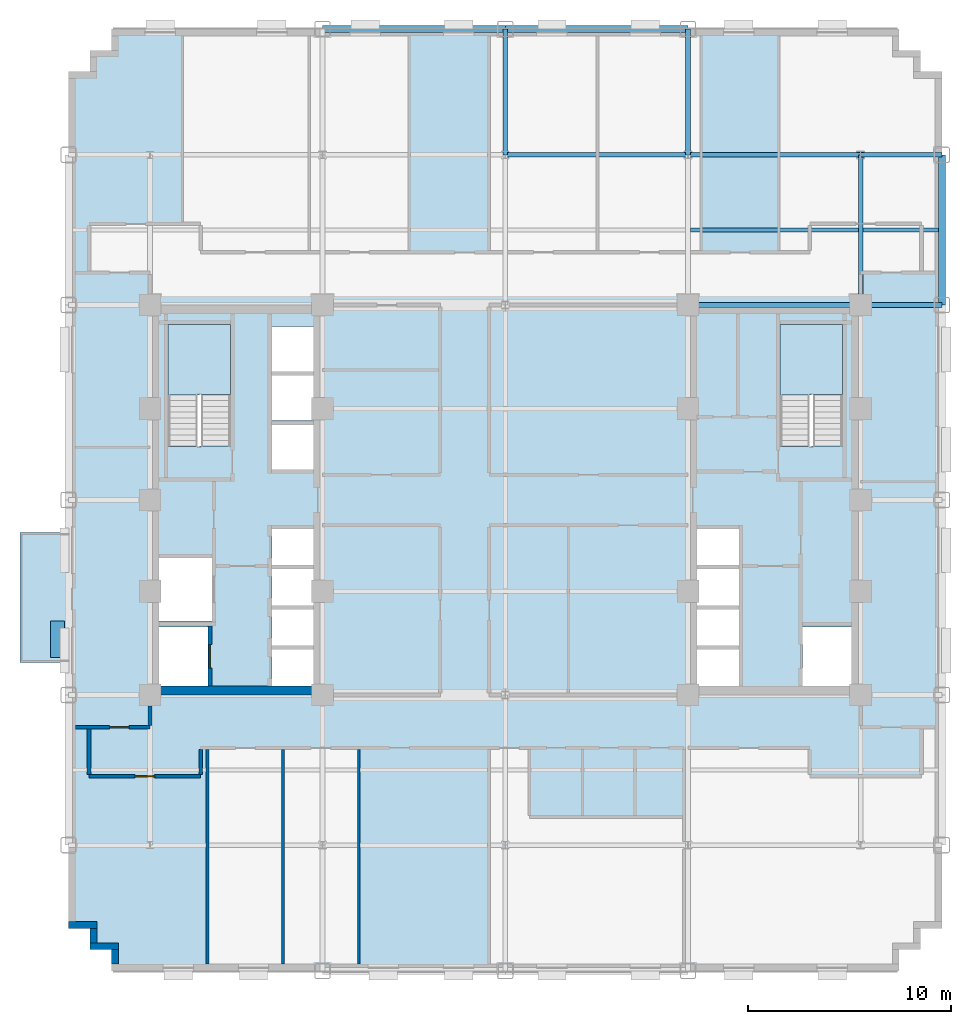
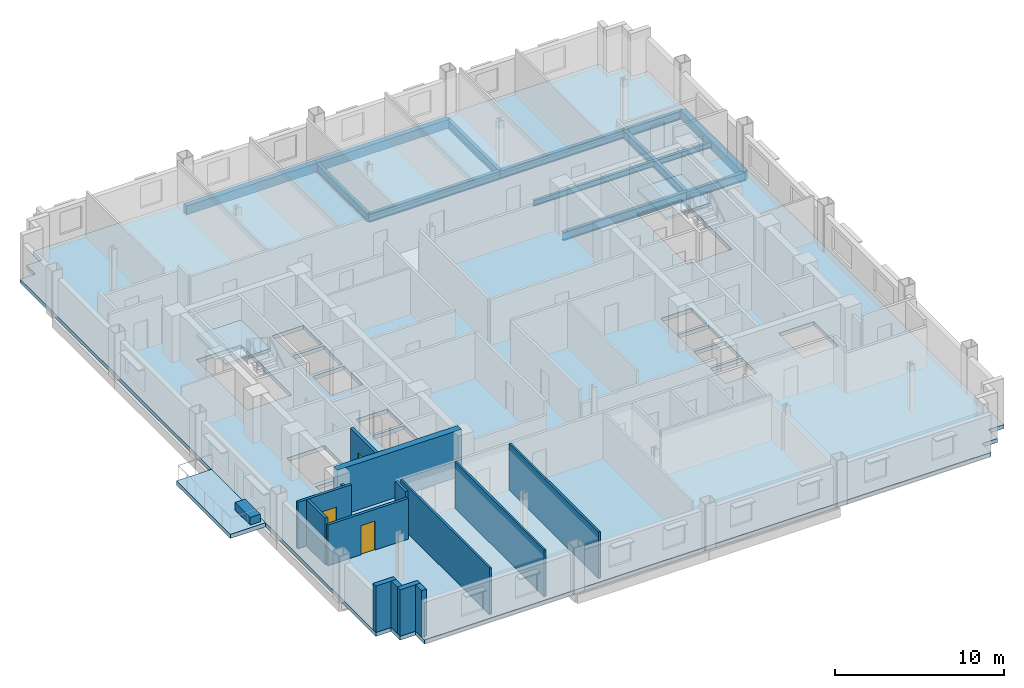
# One storey, part 5 of 14: 14 walls, 13 beams, 4 slabs, 3 doors, 1 plate, 3 openings, 2 elements without a shape of their own.
"""IFC4 building model written with IfcOpenShell, lengths in metres."""

import ifcopenshell
import ifcopenshell.guid

model = None  # the IFC model being written
_history = None  # IfcOwnerHistory: only IFC2X3 demands one
_inside = {}  # id of a spatial element -> (the spatial element, [elements in it])
_under = {}  # id of a project, library or spatial element -> (it, [spatial elements below it])
_declared = {}  # id of a project -> (the project, [libraries it declares])
_typed = {}  # id of a type object -> (the type object, [elements of that type])
_made_of = {}  # id of a material, layer set ... -> (it, [elements and type objects made of it])


def new_model(schema):
    """Start an empty IFC model of exactly this schema.

    Asked for "IFC4X3", IfcOpenShell would pick the latest addendum, in which some entities
    have other attributes; the version numbers below select the first issue.
    IFC2X3 requires an IfcOwnerHistory on every rooted entity: one is made here for all.
    """
    global model, _history
    if schema == "IFC4X3":
        model = ifcopenshell.file(schema_version=(4, 3, 0, 0))
    else:
        model = ifcopenshell.file(schema=schema)
    _inside.clear()
    _under.clear()
    _declared.clear()
    _typed.clear()
    _made_of.clear()
    _history = None
    if model.schema == "IFC2X3":
        org = make("IfcOrganization", Name="unknown")
        user = make(
            "IfcPersonAndOrganization",
            ThePerson=make("IfcPerson", FamilyName="unknown"),
            TheOrganization=org,
        )
        app = make(
            "IfcApplication",
            ApplicationDeveloper=org,
            Version="unknown",
            ApplicationFullName="unknown",
            ApplicationIdentifier="unknown",
        )
        _history = make(
            "IfcOwnerHistory",
            OwningUser=user,
            OwningApplication=app,
            ChangeAction="ADDED",
            CreationDate=0,
        )
    return model


def make(cls, **values):
    """One entity of the class cls with the attributes given. An attribute that is None is left unset."""
    return model.create_entity(
        cls, **{name: value for name, value in values.items() if value is not None}
    )


def rooted(cls, **values):
    """An entity with a GlobalId (a new one), such as an element, a storey or a relation."""
    return make(cls, GlobalId=ifcopenshell.guid.new(), OwnerHistory=_history, **values)


def si_unit(unit_type, name, prefix=None):
    """IfcSIUnit, for example si_unit("LENGTHUNIT", "METRE", prefix="MILLI")."""
    return make("IfcSIUnit", UnitType=unit_type, Prefix=prefix, Name=name)


def assignment(units):
    """IfcUnitAssignment: the units of a project."""
    return None if units is None else make("IfcUnitAssignment", Units=units)


def point(xyz):
    """IfcCartesianPoint."""
    return None if xyz is None else make("IfcCartesianPoint", Coordinates=xyz)


def direction(xyz):
    """IfcDirection."""
    return None if xyz is None else make("IfcDirection", DirectionRatios=xyz)


def frame(location, z_axis=None, x_axis=None):
    """IfcAxis2Placement3D, a coordinate frame: its origin and axes. An axis left out is left unset."""
    return make(
        "IfcAxis2Placement3D",
        Location=point(location),
        Axis=direction(z_axis),
        RefDirection=direction(x_axis),
    )


def frame_2d(location, x_axis=None):
    """IfcAxis2Placement2D, a coordinate frame in the plane: its origin and x axis."""
    return make(
        "IfcAxis2Placement2D", Location=point(location), RefDirection=direction(x_axis)
    )


def origin():
    """The frame at (0, 0, 0) with its axes left unset."""
    return frame((0.0, 0.0, 0.0))


def origin_2d():
    """The frame at (0, 0) in the plane with its x axis left unset."""
    return frame_2d((0.0, 0.0))


def place(relative_to, where):
    """IfcLocalPlacement: puts the frame where relative to a parent placement (None: the world)."""
    return make(
        "IfcLocalPlacement", PlacementRelTo=relative_to, RelativePlacement=where
    )


def context(
    kind, dimensions, precision=None, world=None, true_north=None, identifier=None
):
    """IfcGeometricRepresentationContext, for example the 3D "Model" context."""
    return make(
        "IfcGeometricRepresentationContext",
        ContextIdentifier=identifier,
        ContextType=kind,
        CoordinateSpaceDimension=dimensions,
        Precision=precision,
        WorldCoordinateSystem=world,
        TrueNorth=true_north,
    )


def subcontext(parent, identifier, kind, view, scale=None):
    """IfcGeometricRepresentationSubContext, for example "Body" below "Model"."""
    return make(
        "IfcGeometricRepresentationSubContext",
        ContextIdentifier=identifier,
        ContextType=kind,
        ParentContext=parent,
        TargetScale=scale,
        TargetView=view,
    )


def project(units=None, contexts=None):
    """IfcProject with its units and contexts."""
    return rooted(
        "IfcProject",
        Name="project",
        RepresentationContexts=contexts,
        UnitsInContext=assignment(units),
    )


def spatial(cls, under=None, at=None, **own):
    """A site, building, storey or space (cls), placed at a placement, below another one or the project."""
    s = rooted(cls, ObjectPlacement=at, **own)
    if under is not None:
        _under.setdefault(under.id(), (under, []))[1].append(s)
    return s


def polyline(points):
    """IfcPolyline through the points."""
    return make("IfcPolyline", Points=[point(p) for p in points])


def profile(cls, at=None, kind="AREA", **sizes):
    """A parametric profile (cls). Its sizes go by their IFC names, for example OverallWidth=200.0."""
    return make(cls, ProfileType=kind, Position=at, **sizes)


def rectangle(**sizes):
    """IfcRectangleProfileDef."""
    return profile("IfcRectangleProfileDef", **sizes)


def i_section(**sizes):
    """IfcIShapeProfileDef."""
    return profile("IfcIShapeProfileDef", **sizes)


def outline(outer, holes=None, kind="AREA"):
    """IfcArbitraryClosedProfileDef: a profile drawn as a closed curve; with holes, ...WithVoids."""
    if holes is None:
        return make("IfcArbitraryClosedProfileDef", ProfileType=kind, OuterCurve=outer)
    return make(
        "IfcArbitraryProfileDefWithVoids",
        ProfileType=kind,
        OuterCurve=outer,
        InnerCurves=holes,
    )


def extrude(swept, where, along, depth):
    """IfcExtrudedAreaSolid: the profile swept, set in the frame where, extruded along a direction by depth."""
    return make(
        "IfcExtrudedAreaSolid",
        SweptArea=swept,
        Position=where,
        ExtrudedDirection=direction(along),
        Depth=depth,
    )


def shape(context_of_items, identifier, shape_type, items):
    """IfcShapeRepresentation: the items that make up one representation, for example the "Body"."""
    return make(
        "IfcShapeRepresentation",
        ContextOfItems=context_of_items,
        RepresentationIdentifier=identifier,
        RepresentationType=shape_type,
        Items=items,
    )


def source(mapping_origin, context_of_items, identifier, shape_type, items):
    """IfcRepresentationMap: a shape defined once, which mapped items show again and again."""
    return make(
        "IfcRepresentationMap",
        MappingOrigin=mapping_origin,
        MappedRepresentation=shape(context_of_items, identifier, shape_type, items),
    )


def transform(
    local_origin,
    x_axis=None,
    y_axis=None,
    z_axis=None,
    scale=None,
    scale2=None,
    scale3=None,
    uniform=True,
):
    """IfcCartesianTransformationOperator3D, or its non-uniform kind. x_axis, y_axis, z_axis: its Axis1, 2, 3."""
    if uniform:
        return make(
            "IfcCartesianTransformationOperator3D",
            Axis1=direction(x_axis),
            Axis2=direction(y_axis),
            LocalOrigin=point(local_origin),
            Scale=scale,
            Axis3=direction(z_axis),
        )
    return make(
        "IfcCartesianTransformationOperator3DnonUniform",
        Axis1=direction(x_axis),
        Axis2=direction(y_axis),
        LocalOrigin=point(local_origin),
        Scale=scale,
        Axis3=direction(z_axis),
        Scale2=scale2,
        Scale3=scale3,
    )


def mapped(mapping_source, mapping_target):
    """IfcMappedItem: shows the shape of a source again, moved by a transform."""
    return make(
        "IfcMappedItem", MappingSource=mapping_source, MappingTarget=mapping_target
    )


def material(Name=None, Category=None):
    """IfcMaterial."""
    return make("IfcMaterial", Name=Name, Category=Category)


def layer(
    of_material, thickness, ventilated=None, Name=None, Category=None, Priority=None
):
    """IfcMaterialLayer: one layer of a wall or slab, of a material (None: an air gap)."""
    return make(
        "IfcMaterialLayer",
        Material=of_material,
        LayerThickness=thickness,
        IsVentilated=ventilated,
        Name=Name,
        Category=Category,
        Priority=Priority,
    )


def layer_set(layers, Name=None):
    """IfcMaterialLayerSet."""
    return make("IfcMaterialLayerSet", MaterialLayers=layers, LayerSetName=Name)


def material_profile(
    of_material, cross_section, Name=None, Category=None, Priority=None
):
    """IfcMaterialProfile: a cross section and its material."""
    return make(
        "IfcMaterialProfile",
        Name=Name,
        Material=of_material,
        Profile=cross_section,
        Priority=Priority,
        Category=Category,
    )


def profile_set(profiles, Name=None, composite=None):
    """IfcMaterialProfileSet."""
    return make(
        "IfcMaterialProfileSet",
        Name=Name,
        MaterialProfiles=profiles,
        CompositeProfile=composite,
    )


def made_of(thing, what):
    """Note that an element or type object is made of a material, layer set ...; save() writes the relation."""
    if what is not None:
        _made_of.setdefault(what.id(), (what, []))[1].append(thing)
    return thing


def type_object(cls, material=None, **own):
    """A type object (cls), such as IfcWallType, which elements share."""
    return made_of(rooted(cls, **own), material)


def type_shapes(of_type, sources):
    """Give a type object the sources (RepresentationMaps) that its elements show as mapped items."""
    of_type.RepresentationMaps = sources


def element(
    cls,
    number,
    at=None,
    inside=None,
    cuts=None,
    type_object=None,
    material=None,
    context=None,
    identifier="Body",
    shape_type=None,
    held_by="IfcProductDefinitionShape",
    body=None,
    shapes=None,
    **own,
):
    """One element of the class cls, such as IfcWall. Its Tag is "e" and its number.

    at: its placement. inside: the storey or other place that contains it. cuts: it is an
    opening in that element (IfcRelVoidsElement). A single representation is given by context,
    identifier, shape_type and body (its items); several are given by shapes. held_by: the class
    of the entity that holds the representations. save() writes the other relations.
    """
    e = rooted(cls, Tag="e%d" % number, ObjectPlacement=at, **own)
    if body is not None:
        shapes = [shape(context, identifier, shape_type, body)]
    if shapes is not None:
        e.Representation = make(held_by, Representations=shapes)
    if inside is not None:
        _inside.setdefault(inside.id(), (inside, []))[1].append(e)
    if cuts is not None:
        rooted(
            "IfcRelVoidsElement", RelatingBuildingElement=cuts, RelatedOpeningElement=e
        )
    if type_object is not None:
        _typed.setdefault(type_object.id(), (type_object, []))[1].append(e)
    return made_of(e, material)


def fill(opening, filler):
    """IfcRelFillsElement: the door or window that sits in an opening."""
    return rooted(
        "IfcRelFillsElement",
        RelatingOpeningElement=opening,
        RelatedBuildingElement=filler,
    )


def aggregate(whole, parts):
    """IfcRelAggregates: a whole, such as a stair, and the parts it consists of."""
    return rooted("IfcRelAggregates", RelatingObject=whole, RelatedObjects=parts)


def save(model, path):
    """Write the relations noted so far, then the file.

    IfcRelAggregates (storeys below a building ...), IfcRelContainedInSpatialStructure (elements
    in a storey), IfcRelDefinesByType, IfcRelAssociatesMaterial and IfcRelDeclares: one each for
    every whole, place, type object, material and project.
    """
    for whole, parts in _under.values():
        aggregate(whole, parts)
    for where, things in _inside.values():
        rooted(
            "IfcRelContainedInSpatialStructure",
            RelatedElements=things,
            RelatingStructure=where,
        )
    for kind, things in _typed.values():
        rooted("IfcRelDefinesByType", RelatedObjects=things, RelatingType=kind)
    for what, things in _made_of.values():
        rooted("IfcRelAssociatesMaterial", RelatedObjects=things, RelatingMaterial=what)
    for by, libraries in _declared.values():
        rooted("IfcRelDeclares", RelatingContext=by, RelatedDefinitions=libraries)
    model.write(path)


model = new_model("IFC4")

# Units and contexts
model_context = context("Model", 3, precision=1e-05, world=origin(), true_north=direction((0.0, 1.0)))
body_context = subcontext(model_context, "Body", "Model", "MODEL_VIEW")
ifc_project = project(units=[si_unit("LENGTHUNIT", "METRE"), si_unit("AREAUNIT", "SQUARE_METRE"), si_unit("VOLUMEUNIT", "CUBIC_METRE"), si_unit("PLANEANGLEUNIT", "RADIAN"), si_unit("MASSUNIT", "GRAM", prefix="KILO")], contexts=[model_context])

# Site, building, storey
site_placement = place(None, origin())
site = spatial("IfcSite", under=ifc_project, at=site_placement, CompositionType="ELEMENT")
building_placement = place(site_placement, origin())
building = spatial("IfcBuilding", under=site, at=building_placement, Name="Nuvemarco Arch Tower", CompositionType="ELEMENT")
storey_placement = place(building_placement, frame((0.0, 0.0, 64.10009765625)))
storey = spatial("IfcBuildingStorey", under=building, at=storey_placement, Name="L16", CompositionType="ELEMENT", Elevation=64.10009765625)

# Beams
ifc_material_1 = material(Name="Steel S355", Category="steel")
ifc_material_profile_1 = material_profile(ifc_material_1, i_section(OverallWidth=0.22998046875, OverallDepth=0.616943359375, WebThickness=0.01318359375, FlangeThickness=0.022216796875, FilletRadius=0.01611328125, at=origin_2d()), Name="W610x140")
ifc_profile_set_1 = profile_set([ifc_material_profile_1], Name="Steel S355")
beam_type_1 = type_object("IfcBeamType", Name="BM-GIRD-610", PredefinedType="BEAM", material=ifc_profile_set_1)
for number, where, z_axis, x_axis, name in (
    (1, (0.0, 17.0, -0.588623046875), (0.0, 1.0, 0.0), (-1.0, 0.0, 0.0), "L16 structural beam BGNS_L16_0_+0.0_+17.0"),
    (2, (9.0, 17.0, -0.588623046875), (0.0, 1.0, 0.0), (-1.0, 0.0, 0.0), "L16 structural beam BGNS_L16_0_+9.0_+17.0"),
):
    element("IfcBeam", number, at=place(storey_placement, frame(where, z_axis=z_axis, x_axis=x_axis)), inside=storey, type_object=beam_type_1, Name=name, PredefinedType="BEAM", context=body_context, shape_type="SweptSolid", body=[
        extrude(i_section(OverallWidth=0.22998046875, OverallDepth=0.616943359375, WebThickness=0.01318359375, FlangeThickness=0.022216796875, FilletRadius=0.01611328125, at=origin_2d()), origin(), (0.0, 0.0, 1.0), 6.199951171875),
    ])
beam_1_placement = place(storey_placement, frame((17.5, 9.60009765625, -0.588623046875), z_axis=(0.0, 1.0, 0.0), x_axis=(-1.0, 0.0, 0.0)))
element("IfcBeam", 3, at=beam_1_placement, inside=storey, type_object=beam_type_1, Name="L16 structural beam BGNS_L16_0_+17.5_+9.6", PredefinedType="BEAM", context=body_context, shape_type="SweptSolid", body=[
    extrude(i_section(OverallWidth=0.22998046875, OverallDepth=0.616943359375, WebThickness=0.01318359375, FlangeThickness=0.022216796875, FilletRadius=0.01611328125, at=origin_2d()), origin(), (0.0, 0.0, 1.0), 7.39990234375),
])
beam_2_placement = place(storey_placement, frame((9.0, 9.60009765625, -0.588623046875), z_axis=(1.0, 0.0, 0.0), x_axis=(0.0, 1.0, 0.0)))
element("IfcBeam", 4, at=beam_2_placement, inside=storey, type_object=beam_type_1, Name="L16 structural beam BGEW_L16_0_+9.6_+9.0", PredefinedType="BEAM", context=body_context, shape_type="SweptSolid", body=[
    extrude(i_section(OverallWidth=0.22998046875, OverallDepth=0.616943359375, WebThickness=0.01318359375, FlangeThickness=0.022216796875, FilletRadius=0.01611328125, at=origin_2d()), origin(), (0.0, 0.0, 1.0), 8.5),
])
beam_3_placement = place(storey_placement, frame((17.5, 9.60009765625, -0.588623046875), z_axis=(1.0, 0.0, 0.0), x_axis=(0.0, 1.0, 0.0)))
element("IfcBeam", 5, at=beam_3_placement, inside=storey, type_object=beam_type_1, Name="L16 structural beam BGEW_L16_0_+9.6_+17.5", PredefinedType="BEAM", context=body_context, shape_type="SweptSolid", body=[
    extrude(i_section(OverallWidth=0.22998046875, OverallDepth=0.616943359375, WebThickness=0.01318359375, FlangeThickness=0.022216796875, FilletRadius=0.01611328125, at=origin_2d()), origin(), (0.0, 0.0, 1.0), 4.0),
])
beam_4_placement = place(storey_placement, frame((0.0, 17.0, -0.588623046875), z_axis=(1.0, 0.0, 0.0), x_axis=(0.0, 1.0, 0.0)))
element("IfcBeam", 6, at=beam_4_placement, inside=storey, type_object=beam_type_1, Name="L16 structural beam BGEW_L16_0_+17.0_+0.0", PredefinedType="BEAM", context=body_context, shape_type="SweptSolid", body=[
    extrude(i_section(OverallWidth=0.22998046875, OverallDepth=0.616943359375, WebThickness=0.01318359375, FlangeThickness=0.022216796875, FilletRadius=0.01611328125, at=origin_2d()), origin(), (0.0, 0.0, 1.0), 9.0),
])
beam_5_placement = place(storey_placement, frame((9.0, 17.0, -0.588623046875), z_axis=(1.0, 0.0, 0.0), x_axis=(0.0, 1.0, 0.0)))
element("IfcBeam", 7, at=beam_5_placement, inside=storey, type_object=beam_type_1, Name="L16 structural beam BGEW_L16_0_+17.0_+9.0", PredefinedType="BEAM", context=body_context, shape_type="SweptSolid", body=[
    extrude(i_section(OverallWidth=0.22998046875, OverallDepth=0.616943359375, WebThickness=0.01318359375, FlangeThickness=0.022216796875, FilletRadius=0.01611328125, at=origin_2d()), origin(), (0.0, 0.0, 1.0), 8.5),
])
beam_6_placement = place(storey_placement, frame((17.5, 17.0, -0.588623046875), z_axis=(1.0, 0.0, 0.0), x_axis=(0.0, 1.0, 0.0)))
element("IfcBeam", 8, at=beam_6_placement, inside=storey, type_object=beam_type_1, Name="L16 structural beam BGEW_L16_0_+17.0_+17.5", PredefinedType="BEAM", context=body_context, shape_type="SweptSolid", body=[
    extrude(i_section(OverallWidth=0.22998046875, OverallDepth=0.616943359375, WebThickness=0.01318359375, FlangeThickness=0.022216796875, FilletRadius=0.01611328125, at=origin_2d()), origin(), (0.0, 0.0, 1.0), 4.0),
])
ifc_material_profile_2 = material_profile(ifc_material_1, i_section(OverallWidth=0.179931640625, OverallDepth=0.4130859375, WebThickness=0.009765625, FlangeThickness=0.01611328125, FilletRadius=0.014892578125, at=origin_2d()), Name="W410x75")
ifc_profile_set_2 = profile_set([ifc_material_profile_2], Name="Steel S355")
beam_type_2 = type_object("IfcBeamType", Name="BM-JOIST-410", PredefinedType="JOIST", material=ifc_profile_set_2)
beam_7_placement = place(storey_placement, frame((9.114990234375, 13.300048828125, -0.486572265625), z_axis=(1.0, 0.0, 0.0), x_axis=(0.0, 1.0, 0.0)))
element("IfcBeam", 9, at=beam_7_placement, inside=storey, type_object=beam_type_2, Name="L16 structural beam BJ_L16_0_+13.3_+9.0", PredefinedType="JOIST", context=body_context, shape_type="SweptSolid", body=[
    extrude(i_section(OverallWidth=0.179931640625, OverallDepth=0.4130859375, WebThickness=0.009765625, FlangeThickness=0.01611328125, FilletRadius=0.014892578125, at=origin_2d()), origin(), (0.0, 0.0, 1.0), 8.27001953125),
])
beam_8_placement = place(storey_placement, frame((17.614990234375, 13.300048828125, -0.486572265625), z_axis=(1.0, 0.0, 0.0), x_axis=(0.0, 1.0, 0.0)))
element("IfcBeam", 10, at=beam_8_placement, inside=storey, type_object=beam_type_2, Name="L16 structural beam BJ_L16_0_+13.3_+17.5", PredefinedType="JOIST", context=body_context, shape_type="SweptSolid", body=[
    extrude(i_section(OverallWidth=0.179931640625, OverallDepth=0.4130859375, WebThickness=0.009765625, FlangeThickness=0.01611328125, FilletRadius=0.014892578125, at=origin_2d()), origin(), (0.0, 0.0, 1.0), 3.7099609375),
])
ifc_material_2 = material(Name="Precast concrete C45/55", Category="concrete")
ifc_material_profile_3 = material_profile(ifc_material_2, rectangle(XDim=0.35009765625, YDim=0.64990234375, at=origin_2d()), Name="PC-SP-350x650")
ifc_profile_set_3 = profile_set([ifc_material_profile_3], Name="Precast concrete C45/55")
beam_type_3 = type_object("IfcBeamType", Name="BM-SPAN-RC", PredefinedType="SPANDREL", material=ifc_profile_set_3)
beam_9_placement = place(storey_placement, frame((21.5, 9.60009765625, -0.60498046875), z_axis=(0.0, 1.0, 0.0), x_axis=(-1.0, 0.0, 0.0)))
element("IfcBeam", 11, at=beam_9_placement, inside=storey, type_object=beam_type_3, Name="L16 structural beam BGNS_L16_0_+21.5_+9.6", PredefinedType="SPANDREL", context=body_context, shape_type="SweptSolid", body=[
    extrude(rectangle(XDim=0.35009765625, YDim=0.64990234375, at=origin_2d()), origin(), (0.0, 0.0, 1.0), 7.39990234375),
])
for number, where, z_axis, x_axis, name in (
    (12, (-9.0, 23.199951171875, -0.60498046875), (1.0, 0.0, 0.0), (0.0, 1.0, 0.0), "L16 structural beam BGEW_L16_0_+23.2_-9.0"),
    (13, (0.0, 23.199951171875, -0.60498046875), (1.0, 0.0, 0.0), (0.0, 1.0, 0.0), "L16 structural beam BGEW_L16_0_+23.2_+0.0"),
):
    element("IfcBeam", number, at=place(storey_placement, frame(where, z_axis=z_axis, x_axis=x_axis)), inside=storey, type_object=beam_type_3, Name=name, PredefinedType="SPANDREL", context=body_context, shape_type="SweptSolid", body=[
        extrude(rectangle(XDim=0.35009765625, YDim=0.64990234375, at=origin_2d()), origin(), (0.0, 0.0, 1.0), 9.0),
    ])

# Slab
ifc_material_3 = material(Name="Concrete C50/60", Category="concrete")
ifc_layer_1 = layer(ifc_material_3, 0.280029296875, Name="SL-FLR-280")
ifc_layer_set_1 = layer_set([ifc_layer_1], Name="Concrete C50/60")
slab_type_1 = type_object("IfcSlabType", Name="SL-FLR-280", PredefinedType="FLOOR", material=ifc_layer_set_1)
slab_1_placement = place(storey_placement, frame((0.0, 0.0, -0.280029296875)))
element("IfcSlab", 14, at=slab_1_placement, inside=storey, type_object=slab_type_1, Name="L16 structural floor slab", PredefinedType="FLOOR", context=body_context, shape_type="SweptSolid", body=[
    extrude(outline(polyline([(-19.39990234375, -23.199951171875), (19.39990234375, -23.199951171875), (19.39990234375, -22.14990234375), (20.449951171875, -22.14990234375), (20.449951171875, -21.10009765625), (21.5, -21.10009765625), (21.5, 21.10009765625), (20.449951171875, 21.10009765625), (20.449951171875, 22.14990234375), (19.39990234375, 22.14990234375), (19.39990234375, 23.199951171875), (-19.39990234375, 23.199951171875), (-19.39990234375, 22.14990234375), (-20.449951171875, 22.14990234375), (-20.449951171875, 21.10009765625), (-21.5, 21.10009765625), (-21.5, -21.10009765625), (-20.449951171875, -21.10009765625), (-20.449951171875, -22.14990234375), (-19.39990234375, -22.14990234375), (-19.39990234375, -23.199951171875)]), holes=[polyline([(-13.5400390625, 2.669921875), (-13.5400390625, 8.64990234375), (-16.60009765625, 8.64990234375), (-16.60009765625, 2.630615234375), (-15.070068359375, 2.630615234375), (-15.070068359375, 2.669921875), (-13.5400390625, 2.669921875)]), polyline([(16.60009765625, 2.669921875), (16.60009765625, 8.64990234375), (13.5400390625, 8.64990234375), (13.5400390625, 2.630615234375), (15.070068359375, 2.630615234375), (15.070068359375, 2.669921875), (16.60009765625, 2.669921875)]), polyline([(-17.050048828125, -9.14990234375), (-14.64990234375, -9.14990234375), (-14.64990234375, -6.25), (-17.050048828125, -6.25), (-17.050048828125, -9.14990234375)]), polyline([(-17.050048828125, -5.949951171875), (-14.449951171875, -5.949951171875), (-14.449951171875, -2.85009765625), (-17.050048828125, -2.85009765625), (-17.050048828125, -5.949951171875)]), polyline([(-11.5, -9.14990234375), (-9.35009765625, -9.14990234375), (-9.35009765625, -7.3701171875), (-11.5, -7.3701171875), (-11.5, -9.14990234375)]), polyline([(-11.5, -7.169921875), (-9.35009765625, -7.169921875), (-9.35009765625, -5.389892578125), (-11.5, -5.389892578125), (-11.5, -7.169921875)]), polyline([(-11.5, -5.18994140625), (-9.35009765625, -5.18994140625), (-9.35009765625, -3.409912109375), (-11.5, -3.409912109375), (-11.5, -5.18994140625)]), polyline([(-11.5, -3.2099609375), (-9.35009765625, -3.2099609375), (-9.35009765625, -1.429931640625), (-11.5, -1.429931640625), (-11.5, -3.2099609375)]), polyline([(-11.5, 1.5), (-9.35009765625, 1.5), (-9.35009765625, 3.699951171875), (-11.5, 3.699951171875), (-11.5, 1.5)]), polyline([(-11.5, 3.919921875), (-9.35009765625, 3.919921875), (-9.35009765625, 6.1201171875), (-11.5, 6.1201171875), (-11.5, 3.919921875)]), polyline([(-11.5, 6.340087890625), (-9.35009765625, 6.340087890625), (-9.35009765625, 8.5400390625), (-11.5, 8.5400390625), (-11.5, 6.340087890625)]), polyline([(14.64990234375, -9.14990234375), (17.050048828125, -9.14990234375), (17.050048828125, -6.25), (14.64990234375, -6.25), (14.64990234375, -9.14990234375)]), polyline([(9.35009765625, -9.14990234375), (11.5, -9.14990234375), (11.5, -7.3701171875), (9.35009765625, -7.3701171875), (9.35009765625, -9.14990234375)]), polyline([(9.35009765625, -7.169921875), (11.5, -7.169921875), (11.5, -5.389892578125), (9.35009765625, -5.389892578125), (9.35009765625, -7.169921875)]), polyline([(9.35009765625, -5.18994140625), (11.5, -5.18994140625), (11.5, -3.409912109375), (9.35009765625, -3.409912109375), (9.35009765625, -5.18994140625)]), polyline([(9.35009765625, -3.2099609375), (11.5, -3.2099609375), (11.5, -1.429931640625), (9.35009765625, -1.429931640625), (9.35009765625, -3.2099609375)])]), origin(), (0.0, 0.0, 1.0), 0.280029296875),
])

# Stair, slab
stair_type = type_object("IfcStairType", Name="ST-CORE-20R", PredefinedType="HALF_TURN_STAIR", material=ifc_material_2)
stair_1_placement = place(storey_placement, origin())
stair_1 = element("IfcStair", 15, at=stair_1_placement, inside=storey, type_object=stair_type, Name="L16 Protected Exit Stair ST-1", PredefinedType="HALF_TURN_STAIR")
ifc_layer_2 = layer(ifc_material_2, 0.199951171875, Name="SL-LANDING-200")
ifc_layer_set_2 = layer_set([ifc_layer_2], Name="Precast concrete C45/55")
slab_type_2 = type_object("IfcSlabType", Name="SL-LANDING-200", PredefinedType="LANDING", material=ifc_layer_set_2)
slab_2_placement = place(storey_placement, frame((0.0, 0.0, 1.625)))
slab_2 = element("IfcSlab", 16, at=slab_2_placement, type_object=slab_type_2, Name="ST-20R landing 1", PredefinedType="LANDING", context=body_context, shape_type="SweptSolid", body=[
    extrude(outline(polyline([(-13.5400390625, 5.189453125), (-13.5400390625, 8.64990234375), (-16.60009765625, 8.64990234375), (-16.60009765625, 5.169921875), (-15.070068359375, 5.169921875), (-15.070068359375, 5.189453125), (-13.5400390625, 5.189453125)])), origin(), (0.0, 0.0, 1.0), 0.199951171875),
])
aggregate(stair_1, [slab_2])

stair_2_placement = place(storey_placement, origin())
stair_2 = element("IfcStair", 17, at=stair_2_placement, inside=storey, type_object=stair_type, Name="L16 Protected Exit Stair ST-2", PredefinedType="HALF_TURN_STAIR")
slab_3_placement = place(storey_placement, frame((0.0, 0.0, 1.625)))
slab_3 = element("IfcSlab", 18, at=slab_3_placement, type_object=slab_type_2, Name="ST-20R landing 1", PredefinedType="LANDING", context=body_context, shape_type="SweptSolid", body=[
    extrude(outline(polyline([(16.60009765625, 5.189453125), (16.60009765625, 8.64990234375), (13.5400390625, 8.64990234375), (13.5400390625, 5.169921875), (15.070068359375, 5.169921875), (15.070068359375, 5.189453125), (16.60009765625, 5.189453125)])), origin(), (0.0, 0.0, 1.0), 0.199951171875),
])
aggregate(stair_2, [slab_3])

# Slab
ifc_layer_3 = layer(ifc_material_3, 0.294921875, Name="SL-TR4")
ifc_layer_set_3 = layer_set([ifc_layer_3], Name="Concrete C50/60")
slab_type_3 = type_object("IfcSlabType", Name="SL-TR4", PredefinedType="FLOOR", material=ifc_layer_set_3)
slab_4_placement = place(storey_placement, frame((0.0, 0.0, -0.295166015625)))
element("IfcSlab", 19, at=slab_4_placement, inside=storey, type_object=slab_type_3, Name="L16 outdoor spiral terrace slab 1", PredefinedType="FLOOR", context=body_context, shape_type="SweptSolid", body=[
    extrude(outline(polyline([(-23.89990234375, -8.0), (-21.5, -8.0), (-21.5, -1.60009765625), (-23.89990234375, -1.60009765625), (-23.89990234375, -8.0)])), origin(), (0.0, 0.0, 1.0), 0.295166015625),
])

# Plate
ifc_layer_4 = layer(ifc_material_2, 0.550048828125, Name="Tree Balcony Structural Planter")
ifc_layer_set_4 = layer_set([ifc_layer_4], Name="Precast concrete C45/55")
plate_type = type_object("IfcPlateType", Name="Tree Balcony Structural Planter", PredefinedType="USERDEFINED", material=ifc_layer_set_4)
shared_shape_1 = source(origin(), body_context, "Body", "SweptSolid", [
    extrude(rectangle(XDim=1.800048828125, YDim=0.699951171875, at=origin_2d()), origin(), (0.0, 0.0, 1.0), 0.550048828125),
])
type_shapes(plate_type, [shared_shape_1])
plate_placement = place(storey_placement, frame((-22.050048828125, -6.85009765625, 0.0), z_axis=(0.0, 0.0, 1.0), x_axis=(0.0, 1.0, 0.0)))
element("IfcPlate", 20, at=plate_placement, inside=storey, type_object=plate_type, Name="L16 Tree Balcony Structural Planter", ObjectType="PLANTER", PredefinedType="USERDEFINED", context=body_context, shape_type="MappedRepresentation", body=[
    mapped(shared_shape_1, transform((0.0, 0.0, 0.0), scale=1.0)),
])

# Walls
ifc_layer_5 = layer(ifc_material_2, 0.340087890625, Name="EW-LOW-340")
ifc_layer_set_5 = layer_set([ifc_layer_5], Name="Precast concrete C45/55")
wall_type_1 = type_object("IfcWallType", Name="EW-LOW-340", PredefinedType="STANDARD", material=ifc_layer_set_5)
wall_1_placement = place(storey_placement, frame((-21.5, -20.929931640625, 0.0), z_axis=(0.0, 0.0, 1.0), x_axis=(1.0, 0.0, 0.0)))
element("IfcWall", 21, at=wall_1_placement, inside=storey, type_object=wall_type_1, Name="L16 exterior precast facade wall 17", PredefinedType="STANDARD", context=body_context, shape_type="SweptSolid", body=[
    extrude(rectangle(XDim=1.389892578125, YDim=0.340087890625, at=frame_2d((0.69482421875, 0.0))), origin(), (0.0, 0.0, 1.0), 3.35986328125),
])
wall_2_placement = place(storey_placement, frame((-20.280029296875, -21.81396484375, 0.0), z_axis=(0.0, 0.0, 1.0), x_axis=(0.0, 1.0, 0.0)))
element("IfcWall", 22, at=wall_2_placement, inside=storey, type_object=wall_type_1, Name="L16 exterior precast facade wall 18", PredefinedType="STANDARD", context=body_context, shape_type="SweptSolid", body=[
    extrude(rectangle(XDim=0.718017578125, YDim=0.340087890625, at=frame_2d((0.35888671875, 0.0))), origin(), (0.0, 0.0, 1.0), 3.35986328125),
])
wall_3_placement = place(storey_placement, frame((-20.449951171875, -21.97998046875, 0.0), z_axis=(0.0, 0.0, 1.0), x_axis=(1.0, 0.0, 0.0)))
element("IfcWall", 23, at=wall_3_placement, inside=storey, type_object=wall_type_1, Name="L16 exterior precast facade wall 19", PredefinedType="STANDARD", context=body_context, shape_type="SweptSolid", body=[
    extrude(rectangle(XDim=1.389892578125, YDim=0.340087890625, at=frame_2d((0.69482421875, 0.0))), origin(), (0.0, 0.0, 1.0), 3.35986328125),
])
wall_4_placement = place(storey_placement, frame((-19.22998046875, -22.864013671875, 0.0), z_axis=(0.0, 0.0, 1.0), x_axis=(0.0, 1.0, 0.0)))
element("IfcWall", 24, at=wall_4_placement, inside=storey, type_object=wall_type_1, Name="L16 exterior precast facade wall 20", PredefinedType="STANDARD", context=body_context, shape_type="SweptSolid", body=[
    extrude(rectangle(XDim=0.718017578125, YDim=0.340087890625, at=frame_2d((0.35888671875, 0.0))), origin(), (0.0, 0.0, 1.0), 3.35986328125),
])
ifc_material_4 = material(Name="Concrete C60/75", Category="concrete")
ifc_layer_6 = layer(ifc_material_4, 0.449951171875, Name="WL-CORE-450")
ifc_layer_set_6 = layer_set([ifc_layer_6], Name="Concrete C60/75")
wall_type_2 = type_object("IfcWallType", Name="WL-CORE-450", PredefinedType="SHEAR", material=ifc_layer_set_6)
wall_5_placement = place(storey_placement, frame((-17.5, -9.375, 0.0), z_axis=(0.0, 0.0, 1.0), x_axis=(1.0, 0.0, 0.0)))
element("IfcWall", 25, at=wall_5_placement, inside=storey, type_object=wall_type_2, Name="L16 W-core shear wall S", PredefinedType="SHEAR", context=body_context, shape_type="SweptSolid", body=[
    extrude(rectangle(XDim=8.5, YDim=0.449951171875, at=frame_2d((4.25, 0.0))), origin(), (0.0, 0.0, 1.0), 3.369873046875),
])

# Wall, opening, door
ifc_material_5 = material(Name="Fire-rated gypsum drywall partition")
ifc_layer_7 = layer(ifc_material_5, 0.179931640625, Name="WL-CORR-180")
ifc_layer_set_7 = layer_set([ifc_layer_7], Name="Fire-rated gypsum drywall partition")
wall_type_3 = type_object("IfcWallType", Name="WL-CORR-180", PredefinedType="PARTITIONING", material=ifc_layer_set_7)
wall_6_placement = place(storey_placement, frame((-20.5, -13.60009765625, 0.0), z_axis=(0.0, 0.0, 1.0), x_axis=(1.0, 0.0, 0.0)))
wall_6 = element("IfcWall", 26, at=wall_6_placement, inside=storey, type_object=wall_type_3, Name="L16 interior wall IW-L16-002", PredefinedType="PARTITIONING", context=body_context, shape_type="SweptSolid", body=[
    extrude(rectangle(XDim=5.5, YDim=0.179931640625, at=frame_2d((2.75, 0.0))), origin(), (0.0, 0.0, 1.0), 2.94189453125),
])
opening_1_placement = place(wall_6_placement, frame((2.27001953125, 0.0, 0.0)))
opening_1 = element("IfcOpeningElement", 27, at=opening_1_placement, cuts=wall_6, Name="Opening FD-5", PredefinedType="OPENING", context=body_context, shape_type="SweptSolid", body=[
    extrude(rectangle(XDim=0.9599609375, YDim=2.10009765625, at=frame_2d((0.47998046875, 1.050048828125))), frame((0.0, 0.099853515625, 0.0), z_axis=(0.0, -1.0, 0.0), x_axis=(1.0, 0.0, 0.0)), (0.0, 0.0, 1.0), 0.199951171875),
])
ifc_material_6 = material(Name="Timber fire door", Category="wood")
door_type_1 = type_object("IfcDoorType", Name="DR-CORR-FD", OperationType="NOTDEFINED", PredefinedType="DOOR", material=ifc_material_6)
shared_shape_2 = source(origin(), body_context, "Body", "SweptSolid", [
    extrude(rectangle(XDim=0.9599609375, YDim=2.10009765625, at=frame_2d((0.47998046875, 1.050048828125))), frame((0.0, 0.02490234375, 0.0), z_axis=(0.0, -1.0, 0.0), x_axis=(1.0, 0.0, 0.0)), (0.0, 0.0, 1.0), 0.050048828125),
])
type_shapes(door_type_1, [shared_shape_2])
door_1_placement = place(opening_1_placement, origin())
door_1 = element("IfcDoor", 28, at=door_1_placement, inside=storey, type_object=door_type_1, Name="L16 door DR-L16-S_1", OperationType="SINGLE_SWING_LEFT", OverallHeight=2.10009765625, OverallWidth=0.9599609375, PredefinedType="DOOR", context=body_context, shape_type="MappedRepresentation", body=[
    mapped(shared_shape_2, transform((0.0, 0.0, 0.0), scale=1.0)),
])
fill(opening_1, door_1)

wall_7_placement = place(storey_placement, frame((-21.159912109375, -11.199951171875, 0.0), z_axis=(0.0, 0.0, 1.0), x_axis=(1.0, 0.0, 0.0)))
wall_7 = element("IfcWall", 29, at=wall_7_placement, inside=storey, type_object=wall_type_3, Name="L16 interior wall IW-L16-006", PredefinedType="PARTITIONING", context=body_context, shape_type="SweptSolid", body=[
    extrude(rectangle(XDim=3.659912109375, YDim=0.179931640625, at=frame_2d((1.830078125, 0.0))), origin(), (0.0, 0.0, 1.0), 3.35986328125),
])
opening_2_placement = place(wall_7_placement, frame((1.679931640625, 0.0, 0.0)))
opening_2 = element("IfcOpeningElement", 30, at=opening_2_placement, cuts=wall_7, Name="Opening FD-5", PredefinedType="OPENING", context=body_context, shape_type="SweptSolid", body=[
    extrude(rectangle(XDim=0.9599609375, YDim=2.10009765625, at=frame_2d((0.47998046875, 1.050048828125))), frame((0.0, 0.099853515625, 0.0), z_axis=(0.0, -1.0, 0.0), x_axis=(1.0, 0.0, 0.0)), (0.0, 0.0, 1.0), 0.199951171875),
])
door_2_placement = place(opening_2_placement, origin())
door_2 = element("IfcDoor", 31, at=door_2_placement, inside=storey, type_object=door_type_1, Name="L16 door DR-L16-W_1", OperationType="SINGLE_SWING_RIGHT", OverallHeight=2.10009765625, OverallWidth=0.9599609375, PredefinedType="DOOR", context=body_context, shape_type="MappedRepresentation", body=[
    mapped(shared_shape_2, transform((0.0, 0.0, 0.0), scale=1.0)),
])
fill(opening_2, door_2)

# Walls
wall_8_placement = place(storey_placement, frame((-20.5, -13.513916015625, 0.0), z_axis=(0.0, 0.0, 1.0), x_axis=(0.0, 1.0, 0.0)))
element("IfcWall", 32, at=wall_8_placement, inside=storey, type_object=wall_type_3, Name="L16 interior wall IW-L16-026", PredefinedType="PARTITIONING", context=body_context, shape_type="SweptSolid", body=[
    extrude(rectangle(XDim=2.22802734375, YDim=0.179931640625, at=frame_2d((1.114013671875, 0.0))), origin(), (0.0, 0.0, 1.0), 3.35986328125),
])
wall_9_placement = place(storey_placement, frame((-17.5, -11.114013671875, 0.0), z_axis=(0.0, 0.0, 1.0), x_axis=(0.0, 1.0, 0.0)))
element("IfcWall", 33, at=wall_9_placement, inside=storey, type_object=wall_type_3, Name="L16 interior wall IW-L16-028", PredefinedType="PARTITIONING", context=body_context, shape_type="SweptSolid", body=[
    extrude(rectangle(XDim=0.968017578125, YDim=0.179931640625, at=frame_2d((0.48388671875, 0.0))), origin(), (0.0, 0.0, 1.0), 2.73779296875),
])
wall_10_placement = place(storey_placement, frame((-15.0, -13.513916015625, 0.0), z_axis=(0.0, 0.0, 1.0), x_axis=(0.0, 1.0, 0.0)))
element("IfcWall", 34, at=wall_10_placement, inside=storey, type_object=wall_type_3, Name="L16 interior wall IW-L16-031", PredefinedType="PARTITIONING", context=body_context, shape_type="SweptSolid", body=[
    extrude(rectangle(XDim=1.22802734375, YDim=0.179931640625, at=frame_2d((0.614013671875, 0.0))), origin(), (0.0, 0.0, 1.0), 3.35986328125),
])
ifc_material_7 = material(Name="Gypsum plasterboard partition")
ifc_layer_8 = layer(ifc_material_7, 0.139892578125, Name="WL-ROOM-140")
ifc_layer_set_8 = layer_set([ifc_layer_8], Name="Gypsum plasterboard partition")
wall_type_4 = type_object("IfcWallType", Name="WL-ROOM-140", PredefinedType="PARTITIONING", material=ifc_layer_set_8)
for number, where, z_axis, x_axis, name in (
    (35, (-14.669921875, -22.860107421875, 0.0), (0.0, 0.0, 1.0), (0.0, 1.0, 0.0), "L16 interior wall IW-L16-033"),
    (36, (-10.93994140625, -22.860107421875, 0.0), (0.0, 0.0, 1.0), (0.0, 1.0, 0.0), "L16 interior wall IW-L16-034"),
    (37, (-7.219970703125, -22.860107421875, 0.0), (0.0, 0.0, 1.0), (0.0, 1.0, 0.0), "L16 interior wall IW-L16-036"),
):
    element("IfcWall", number, at=place(storey_placement, frame(where, z_axis=z_axis, x_axis=x_axis)), inside=storey, type_object=wall_type_4, Name=name, PredefinedType="PARTITIONING", context=body_context, shape_type="SweptSolid", body=[
        extrude(rectangle(XDim=10.57421875, YDim=0.139892578125, at=frame_2d((5.287109375, 0.0))), origin(), (0.0, 0.0, 1.0), 3.35986328125),
    ])

# Wall, opening, door
ifc_layer_9 = layer(ifc_material_3, 0.199951171875, Name="WL-SHAFT-220")
ifc_layer_set_9 = layer_set([ifc_layer_9], Name="Concrete C50/60")
wall_type_5 = type_object("IfcWallType", Name="WL-SHAFT-220", PredefinedType="SHEAR", material=ifc_layer_set_9)
wall_11_placement = place(storey_placement, frame((-14.550048828125, -9.155029296875, 0.0), z_axis=(0.0, 0.0, 1.0), x_axis=(0.0, 1.0, 0.0)))
wall_11 = element("IfcWall", 38, at=wall_11_placement, inside=storey, type_object=wall_type_5, Name="L16 structural shaft wall SW-L16-W-SHE", PredefinedType="SHEAR", context=body_context, shape_type="SweptSolid", body=[
    extrude(rectangle(XDim=2.9599609375, YDim=0.199951171875, at=frame_2d((1.47998046875, 0.0))), origin(), (0.0, 0.0, 1.0), 3.369873046875),
])
opening_3_placement = place(wall_11_placement, frame((0.8798828125, 0.0, 0.0)))
opening_3 = element("IfcOpeningElement", 39, at=opening_3_placement, cuts=wall_11, Name="Opening LD-2", PredefinedType="OPENING", context=body_context, shape_type="SweptSolid", body=[
    extrude(rectangle(XDim=1.14990234375, YDim=2.14990234375, at=frame_2d((0.574951171875, 1.074951171875))), frame((0.0, 0.10986328125, 0.0), z_axis=(0.0, -1.0, 0.0), x_axis=(1.0, 0.0, 0.0)), (0.0, 0.0, 1.0), 0.219970703125),
])
ifc_material_8 = material(Name="Stainless steel lift door", Category="steel")
door_type_2 = type_object("IfcDoorType", Name="DR-LIFT-FIRE", OperationType="DOUBLE_DOOR_SLIDING", PredefinedType="DOOR", material=ifc_material_8)
shared_shape_3 = source(origin(), body_context, "Body", "SweptSolid", [
    extrude(rectangle(XDim=1.14990234375, YDim=2.14990234375, at=frame_2d((0.574951171875, 1.074951171875))), frame((0.0, 0.02490234375, 0.0), z_axis=(0.0, -1.0, 0.0), x_axis=(1.0, 0.0, 0.0)), (0.0, 0.0, 1.0), 0.050048828125),
])
type_shapes(door_type_2, [shared_shape_3])
door_3_placement = place(opening_3_placement, origin())
door_3 = element("IfcDoor", 40, at=door_3_placement, inside=storey, type_object=door_type_2, Name="L16 Lift landing sliding door FFL-1", OperationType="DOUBLE_DOOR_SLIDING", OverallHeight=2.14990234375, OverallWidth=1.14990234375, PredefinedType="DOOR", context=body_context, shape_type="MappedRepresentation", body=[
    mapped(shared_shape_3, transform((0.0, 0.0, 0.0), scale=1.0)),
])
fill(opening_3, door_3)

save(model, "model.ifc")
